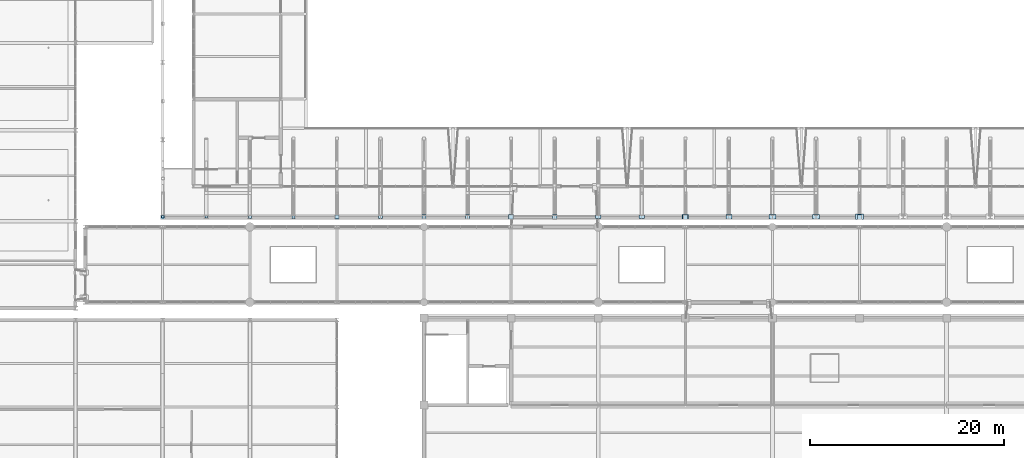
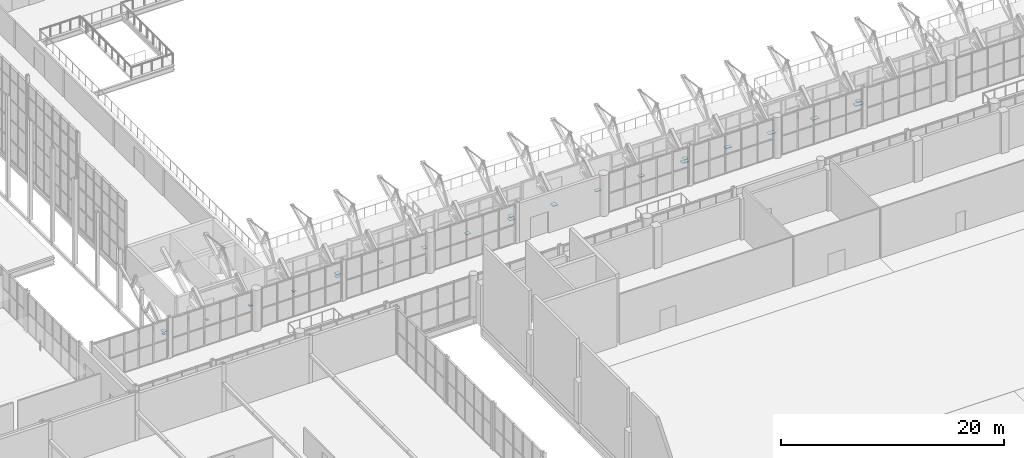
# One storey, part 106 of 134: 22 plates.
"""IFC4 building model written with IfcOpenShell, lengths in metres."""

from ifc_helpers import new_model, si_unit, direction, frame, origin, origin_2d, place, context, subcontext, project, spatial, rectangle, extrude, material, layer, layer_set, type_object, element, save


model = new_model("IFC4")

# Units and contexts
model_context = context("Model", 3, precision=1e-05, world=origin(), true_north=direction((0.0, 1.0)))
body_context = subcontext(model_context, "Body", "Model", "MODEL_VIEW")
ifc_project = project(units=[si_unit("LENGTHUNIT", "METRE"), si_unit("AREAUNIT", "SQUARE_METRE"), si_unit("VOLUMEUNIT", "CUBIC_METRE"), si_unit("PLANEANGLEUNIT", "RADIAN"), si_unit("MASSUNIT", "GRAM", prefix="KILO")], contexts=[model_context])

# Site, building, storey
site_placement = place(None, origin())
site = spatial("IfcSite", under=ifc_project, at=site_placement, CompositionType="ELEMENT")
building_placement = place(site_placement, origin())
building = spatial("IfcBuilding", under=site, at=building_placement, Name="Cazmaro Siding Exhibition Halls", CompositionType="ELEMENT")
storey_placement = place(building_placement, frame((0.0, 0.0, 12.0)))
storey = spatial("IfcBuildingStorey", under=building, at=storey_placement, Name="L02", CompositionType="ELEMENT", Elevation=12.0)

# Plates
ifc_material_1 = material(Name="Steel ASTM A572 Grade 50", Category="steel")
ifc_layer_1 = layer(ifc_material_1, 0.013916015625)
ifc_layer_set_1 = layer_set([ifc_layer_1], Name="Steel ASTM A572 Grade 50")
plate_type_1 = type_object("IfcPlateType", Name="CP-01", PredefinedType="SHEET", material=ifc_layer_set_1)
for number, where, z_axis, x_axis, name in (
    (1, (45.0, 64.050048828125, 1.94287109375), (0.0, 0.0, 1.0), (1.0, 0.0, 0.0), "Space frame vault springing end-cap plate CP-01 node TN-01"),
    (2, (49.5, 64.050048828125, 1.94287109375), (0.0, 0.0, 1.0), (1.0, 0.0, 0.0), "Space frame vault springing end-cap plate CP-01 node TN-01"),
):
    element("IfcPlate", number, at=place(storey_placement, frame(where, z_axis=z_axis, x_axis=x_axis)), inside=storey, type_object=plate_type_1, Name=name, PredefinedType="SHEET", context=body_context, shape_type="SweptSolid", body=[
        extrude(rectangle(XDim=0.260009765625, YDim=0.260009765625, at=origin_2d()), origin(), (0.0, 0.0, 1.0), 0.013916015625),
    ])
ifc_material_2 = material(Name="Steel ASTM A572 Grade 50", Category="steel")
ifc_layer_2 = layer(ifc_material_2, 0.02001953125)
ifc_layer_set_2 = layer_set([ifc_layer_2], Name="Steel ASTM A572 Grade 50")
plate_type_2 = type_object("IfcPlateType", Name="CP-02", PredefinedType="SHEET", material=ifc_layer_set_2)
for number, where, z_axis, x_axis, name in (
    (3, (54.0, 64.050048828125, 1.93994140625), (0.0, 0.0, 1.0), (1.0, 0.0, 0.0), "Space frame vault springing end-cap plate CP-02 node TN-01"),
    (4, (58.5, 64.050048828125, 1.93994140625), (0.0, 0.0, 1.0), (1.0, 0.0, 0.0), "Space frame vault springing end-cap plate CP-02 node TN-01"),
):
    element("IfcPlate", number, at=place(storey_placement, frame(where, z_axis=z_axis, x_axis=x_axis)), inside=storey, type_object=plate_type_2, Name=name, PredefinedType="SHEET", context=body_context, shape_type="SweptSolid", body=[
        extrude(rectangle(XDim=0.320068359375, YDim=0.320068359375, at=origin_2d()), origin(), (0.0, 0.0, 1.0), 0.02001953125),
    ])
ifc_material_3 = material(Name="Steel ASTM A572 Grade 50", Category="steel")
ifc_layer_3 = layer(ifc_material_3, 0.02001953125)
ifc_layer_set_3 = layer_set([ifc_layer_3], Name="Steel ASTM A572 Grade 50")
plate_type_3 = type_object("IfcPlateType", Name="CP-03", PredefinedType="SHEET", material=ifc_layer_set_3)
for number, where, z_axis, x_axis, name in (
    (5, (63.0, 64.050048828125, 1.93994140625), (0.0, 0.0, 1.0), (1.0, 0.0, 0.0), "Space frame vault springing end-cap plate CP-03 node TN-01"),
    (6, (67.5, 64.050048828125, 1.93994140625), (0.0, 0.0, 1.0), (1.0, 0.0, 0.0), "Space frame vault springing end-cap plate CP-03 node TN-01"),
):
    element("IfcPlate", number, at=place(storey_placement, frame(where, z_axis=z_axis, x_axis=x_axis)), inside=storey, type_object=plate_type_3, Name=name, PredefinedType="SHEET", context=body_context, shape_type="SweptSolid", body=[
        extrude(rectangle(XDim=0.389892578125, YDim=0.389892578125, at=origin_2d()), origin(), (0.0, 0.0, 1.0), 0.02001953125),
    ])
ifc_material_4 = material(Name="Steel ASTM A572 Grade 50", Category="steel")
ifc_layer_4 = layer(ifc_material_4, 0.0390625)
ifc_layer_set_4 = layer_set([ifc_layer_4], Name="Steel ASTM A572 Grade 50")
plate_type_4 = type_object("IfcPlateType", Name="CP-04", PredefinedType="SHEET", material=ifc_layer_set_4)
for number, where, z_axis, x_axis, name in (
    (7, (45.0, 64.0, 2.300537109375), (0.0, 0.0, 1.0), (1.0, 0.0, 0.0), "HSS column top end-cap plate CP-04"),
    (8, (63.0, 64.0, 2.300537109375), (0.0, 0.0, 1.0), (1.0, 0.0, 0.0), "HSS column top end-cap plate CP-04"),
    (9, (81.0, 64.0, 2.300537109375), (0.0, 0.0, 1.0), (1.0, 0.0, 0.0), "HSS column top end-cap plate CP-04"),
    (10, (99.0, 64.0, 2.300537109375), (0.0, 0.0, 1.0), (1.0, 0.0, 0.0), "HSS column top end-cap plate CP-04"),
    (11, (117.0, 64.0, 2.300537109375), (0.0, 0.0, 1.0), (1.0, 0.0, 0.0), "HSS column top end-cap plate CP-04"),
    (12, (72.0, 64.050048828125, 1.930419921875), (0.0, 0.0, 1.0), (1.0, 0.0, 0.0), "Space frame vault springing end-cap plate CP-04 node TN-01"),
    (13, (76.5, 64.050048828125, 1.930419921875), (0.0, 0.0, 1.0), (1.0, 0.0, 0.0), "Space frame vault springing end-cap plate CP-04 node TN-01"),
):
    element("IfcPlate", number, at=place(storey_placement, frame(where, z_axis=z_axis, x_axis=x_axis)), inside=storey, type_object=plate_type_4, Name=name, PredefinedType="SHEET", context=body_context, shape_type="SweptSolid", body=[
        extrude(rectangle(XDim=0.43994140625, YDim=0.43994140625, at=origin_2d()), origin(), (0.0, 0.0, 1.0), 0.0390625),
    ])
ifc_material_5 = material(Name="Steel ASTM A572 Grade 50", Category="steel")
ifc_layer_5 = layer(ifc_material_5, 0.049072265625)
ifc_layer_set_5 = layer_set([ifc_layer_5], Name="Steel ASTM A572 Grade 50")
plate_type_5 = type_object("IfcPlateType", Name="CP-05", PredefinedType="SHEET", material=ifc_layer_set_5)
for number, where, z_axis, x_axis, name in (
    (14, (81.0, 64.050048828125, 1.92529296875), (0.0, 0.0, 1.0), (1.0, 0.0, 0.0), "Space frame vault springing end-cap plate CP-05 node TN-01"),
    (15, (85.5, 64.050048828125, 1.92529296875), (0.0, 0.0, 1.0), (1.0, 0.0, 0.0), "Space frame vault springing end-cap plate CP-05 node TN-01"),
):
    element("IfcPlate", number, at=place(storey_placement, frame(where, z_axis=z_axis, x_axis=x_axis)), inside=storey, type_object=plate_type_5, Name=name, PredefinedType="SHEET", context=body_context, shape_type="SweptSolid", body=[
        extrude(rectangle(XDim=0.5, YDim=0.5, at=origin_2d()), origin(), (0.0, 0.0, 1.0), 0.049072265625),
    ])
ifc_material_6 = material(Name="Steel ASTM A572 Grade 50", Category="steel")
ifc_layer_6 = layer(ifc_material_6, 0.05908203125)
ifc_layer_set_6 = layer_set([ifc_layer_6], Name="Steel ASTM A572 Grade 50")
plate_type_6 = type_object("IfcPlateType", Name="CP-06", PredefinedType="SHEET", material=ifc_layer_set_6)
for number, where, z_axis, x_axis, name in (
    (16, (90.0, 64.050048828125, 1.92041015625), (0.0, 0.0, 1.0), (1.0, 0.0, 0.0), "Space frame vault springing end-cap plate CP-06 node TN-01"),
    (17, (94.5, 64.050048828125, 1.92041015625), (0.0, 0.0, 1.0), (1.0, 0.0, 0.0), "Space frame vault springing end-cap plate CP-06 node TN-01"),
):
    element("IfcPlate", number, at=place(storey_placement, frame(where, z_axis=z_axis, x_axis=x_axis)), inside=storey, type_object=plate_type_6, Name=name, PredefinedType="SHEET", context=body_context, shape_type="SweptSolid", body=[
        extrude(rectangle(XDim=0.56005859375, YDim=0.3798828125, at=origin_2d()), origin(), (0.0, 0.0, 1.0), 0.05908203125),
    ])
ifc_material_7 = material(Name="Steel ASTM A572 Grade 50", Category="steel")
ifc_layer_7 = layer(ifc_material_7, 0.069091796875)
ifc_layer_set_7 = layer_set([ifc_layer_7], Name="Steel ASTM A572 Grade 50")
plate_type_7 = type_object("IfcPlateType", Name="CP-07", PredefinedType="SHEET", material=ifc_layer_set_7)
for number, where, z_axis, x_axis, name in (
    (18, (99.0, 64.050048828125, 1.91552734375), (0.0, 0.0, 1.0), (1.0, 0.0, 0.0), "Space frame vault springing end-cap plate CP-07 node TN-01"),
    (19, (103.5, 64.050048828125, 1.91552734375), (0.0, 0.0, 1.0), (1.0, 0.0, 0.0), "Space frame vault springing end-cap plate CP-07 node TN-01"),
):
    element("IfcPlate", number, at=place(storey_placement, frame(where, z_axis=z_axis, x_axis=x_axis)), inside=storey, type_object=plate_type_7, Name=name, PredefinedType="SHEET", context=body_context, shape_type="SweptSolid", body=[
        extrude(rectangle(XDim=0.639892578125, YDim=0.419921875, at=origin_2d()), origin(), (0.0, 0.0, 1.0), 0.069091796875),
    ])
ifc_material_8 = material(Name="Steel ASTM A572 Grade 50", Category="steel")
ifc_layer_8 = layer(ifc_material_8, 0.033935546875)
ifc_layer_set_8 = layer_set([ifc_layer_8], Name="Steel ASTM A572 Grade 50")
plate_type_8 = type_object("IfcPlateType", Name="CP-08", PredefinedType="SHEET", material=ifc_layer_set_8)
for number, where, z_axis, x_axis, name in (
    (20, (108.0, 64.050048828125, 1.93310546875), (0.0, 0.0, 1.0), (1.0, 0.0, 0.0), "Space frame vault springing end-cap plate CP-08 node TN-01"),
    (21, (112.5, 64.050048828125, 1.93310546875), (0.0, 0.0, 1.0), (1.0, 0.0, 0.0), "Space frame vault springing end-cap plate CP-08 node TN-01"),
):
    element("IfcPlate", number, at=place(storey_placement, frame(where, z_axis=z_axis, x_axis=x_axis)), inside=storey, type_object=plate_type_8, Name=name, PredefinedType="SHEET", context=body_context, shape_type="SweptSolid", body=[
        extrude(rectangle(XDim=0.699951171875, YDim=0.4599609375, at=origin_2d()), origin(), (0.0, 0.0, 1.0), 0.033935546875),
    ])
ifc_material_9 = material(Name="Steel ASTM A572 Grade 50", Category="steel")
ifc_layer_9 = layer(ifc_material_9, 0.0439453125)
ifc_layer_set_9 = layer_set([ifc_layer_9], Name="Steel ASTM A572 Grade 50")
plate_type_9 = type_object("IfcPlateType", Name="CP-09", PredefinedType="SHEET", material=ifc_layer_set_9)
plate_placement = place(storey_placement, frame((117.0, 64.050048828125, 1.927978515625), z_axis=(0.0, 0.0, 1.0), x_axis=(1.0, 0.0, 0.0)))
element("IfcPlate", 22, at=plate_placement, inside=storey, type_object=plate_type_9, Name="Space frame vault springing end-cap plate CP-09 node TN-01", PredefinedType="SHEET", context=body_context, shape_type="SweptSolid", body=[
    extrude(rectangle(XDim=0.800048828125, YDim=0.52001953125, at=origin_2d()), origin(), (0.0, 0.0, 1.0), 0.0439453125),
])

save(model, "model.ifc")
